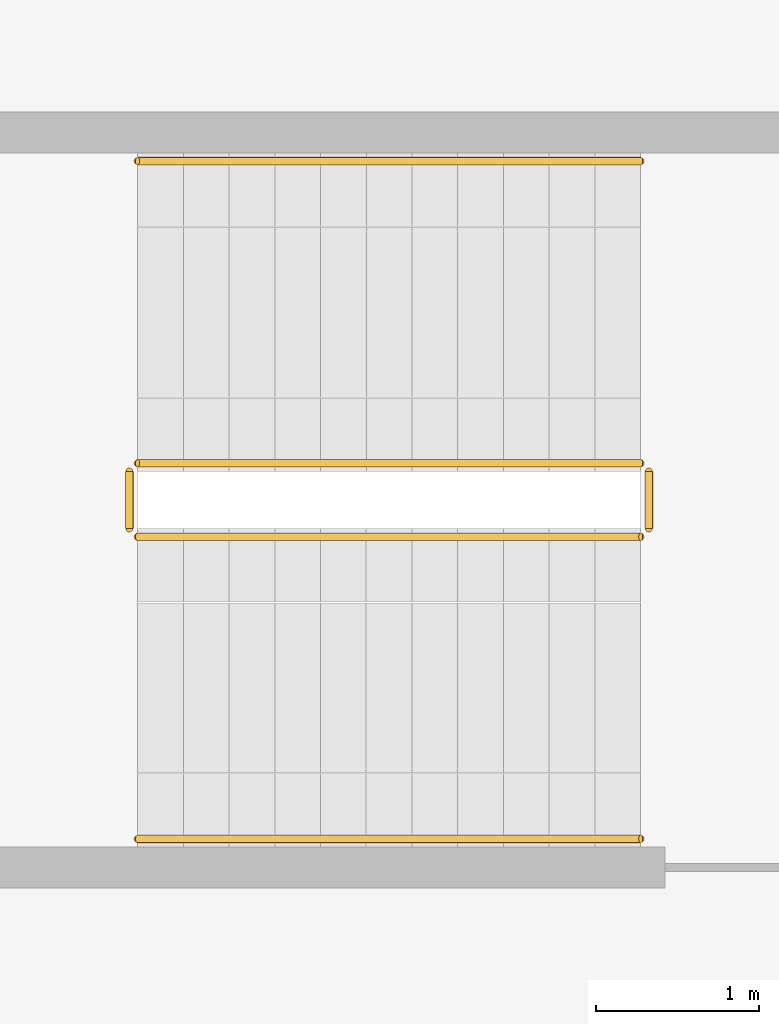
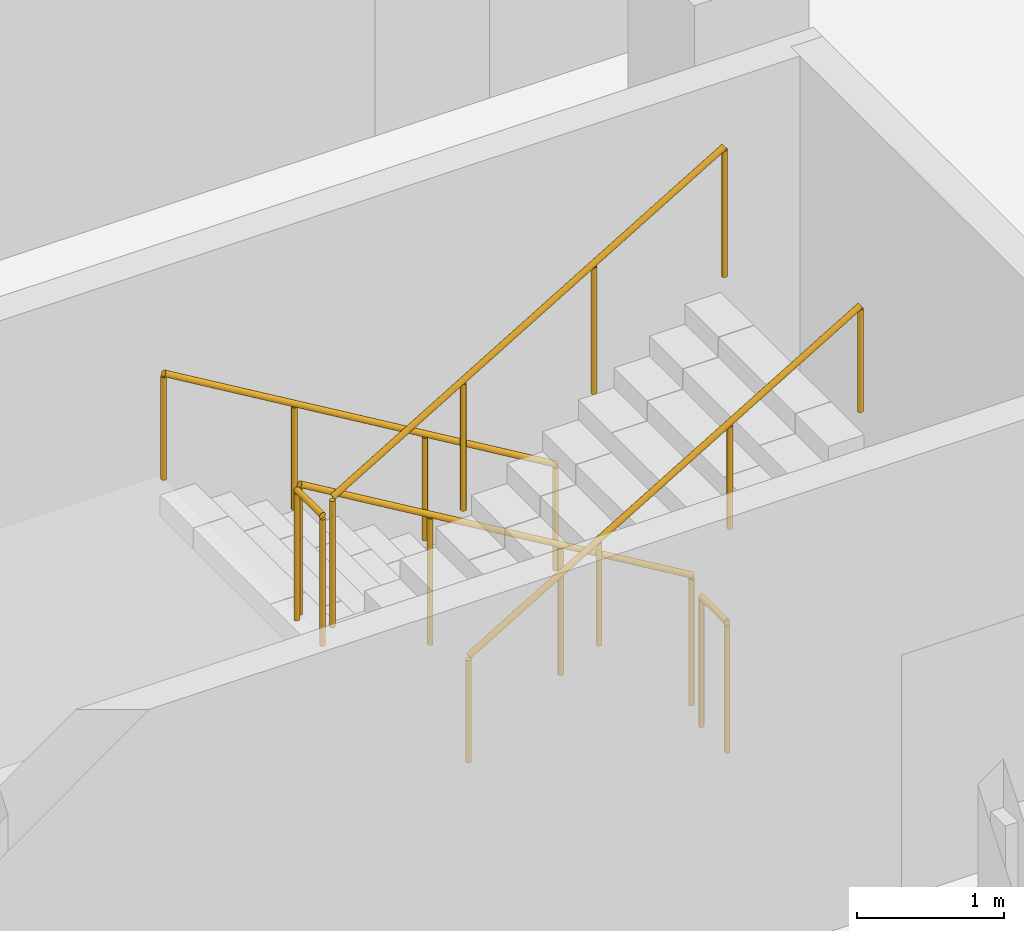
# One storey, part 10 of 10: 1 railing.
"""IFC4 building model written with IfcOpenShell, lengths in metres."""

from ifc_helpers import new_model, si_unit, direction, frame, origin, origin_2d, place, context, subcontext, project, spatial, circle, extrude, material, type_object, element, save


model = new_model("IFC4")

# Units and contexts
model_context = context("Model", 3, precision=1e-05, world=origin(), true_north=direction((0.0, 1.0)))
body_context = subcontext(model_context, "Body", "Model", "MODEL_VIEW")
ifc_project = project(units=[si_unit("LENGTHUNIT", "METRE"), si_unit("AREAUNIT", "SQUARE_METRE"), si_unit("VOLUMEUNIT", "CUBIC_METRE"), si_unit("PLANEANGLEUNIT", "RADIAN"), si_unit("MASSUNIT", "GRAM", prefix="KILO")], contexts=[model_context])

# Site, building, storey
site_placement = place(None, origin())
site = spatial("IfcSite", under=ifc_project, at=site_placement, CompositionType="ELEMENT")
building_placement = place(site_placement, origin())
building = spatial("IfcBuilding", under=site, at=building_placement, Name="Corbelhall Arena Tower", CompositionType="ELEMENT")
storey_placement = place(building_placement, frame((0.0, 0.0, 242.0)))
storey = spatial("IfcBuildingStorey", under=building, at=storey_placement, Name="L51", CompositionType="ELEMENT", Elevation=242.0)

# Railing
ifc_material = material(Name="Steel ASTM A500 Gr C", Category="steel")
railing_type = type_object("IfcRailingType", Name="IN-GD-1100", PredefinedType="GUARDRAIL", material=ifc_material)
railing_placement = place(storey_placement, frame((11.425048828125, 14.77490234375, 0.166748046875)))
element("IfcRailing", 1, at=railing_placement, inside=storey, type_object=railing_type, Name="L51 ST3 stair guards and handrails", PredefinedType="GUARDRAIL", context=body_context, shape_type="SweptSolid", body=[
    extrude(circle(Radius=0.02392578125, at=origin_2d()), frame((0.0, 0.0, 1.076171875), z_axis=(-0.859308565015, 0.0, 0.511457515432), x_axis=(0.0, -1.0, 0.0)), (0.0, 0.0, 1.0), 3.58447265625),
    extrude(circle(Radius=0.02392578125, at=origin_2d()), frame((-3.130126953125, -0.0498046875, 2.9091796875), z_axis=(0.0, -1.0, 0.0), x_axis=(1.0, 0.0, 0.0)), (0.0, 0.0, 1.0), 0.35009765625),
    extrude(circle(Radius=0.02392578125, at=origin_2d()), frame((-3.080078125, -0.449951171875, 3.076171875), z_axis=(0.859308565015, 0.0, 0.511457515432), x_axis=(0.0, 1.0, 0.0)), (0.0, 0.0, 1.0), 3.58447265625),
    extrude(circle(Radius=0.02392578125, at=origin_2d()), frame((0.050048828125, -0.0498046875, 0.9091796875), z_axis=(0.0, -1.0, 0.0), x_axis=(1.0, 0.0, 0.0)), (0.0, 0.0, 1.0), 0.35009765625),
    extrude(circle(Radius=0.02392578125, at=origin_2d()), frame((0.0, 1.85009765625, 0.8759765625), z_axis=(-0.859308565015, 0.0, 0.511457515432), x_axis=(0.0, -1.0, 0.0)), (0.0, 0.0, 1.0), 3.58447265625),
    extrude(circle(Radius=0.02392578125, at=origin_2d()), frame((-3.080078125, -2.2998046875, 2.8759765625), z_axis=(0.859308565015, 0.0, 0.511457515432), x_axis=(0.0, 1.0, 0.0)), (0.0, 0.0, 1.0), 3.58447265625),
    extrude(circle(Radius=0.02099609375, at=origin_2d()), origin(), (0.0, 0.0, 1.0), 1.052001953125),
    extrude(circle(Radius=0.02099609375, at=origin_2d()), frame((-1.026611328125, 0.0, 0.611083984375)), (0.0, 0.0, 1.0), 1.052001953125),
    extrude(circle(Radius=0.02099609375, at=origin_2d()), frame((-2.053466796875, 0.0, 1.22216796875)), (0.0, 0.0, 1.0), 1.052001953125),
    extrude(circle(Radius=0.02099609375, at=origin_2d()), frame((-3.080078125, 0.0, 1.833251953125)), (0.0, 0.0, 1.0), 1.052001953125),
    extrude(circle(Radius=0.02099609375, at=origin_2d()), frame((-3.130126953125, -0.0498046875, 1.833251953125)), (0.0, 0.0, 1.0), 1.052001953125),
    extrude(circle(Radius=0.02099609375, at=origin_2d()), frame((-3.130126953125, -0.39990234375, 1.833251953125)), (0.0, 0.0, 1.0), 1.052001953125),
    extrude(circle(Radius=0.02099609375, at=origin_2d()), frame((-3.080078125, -0.449951171875, 2.0)), (0.0, 0.0, 1.0), 1.052001953125),
    extrude(circle(Radius=0.02099609375, at=origin_2d()), frame((-2.053466796875, -0.449951171875, 2.611083984375)), (0.0, 0.0, 1.0), 1.052001953125),
    extrude(circle(Radius=0.02099609375, at=origin_2d()), frame((-1.026611328125, -0.449951171875, 3.22216796875)), (0.0, 0.0, 1.0), 1.052001953125),
    extrude(circle(Radius=0.02099609375, at=origin_2d()), frame((0.0, -0.449951171875, 3.833251953125)), (0.0, 0.0, 1.0), 1.052001953125),
    extrude(circle(Radius=0.02099609375, at=origin_2d()), frame((0.050048828125, -0.0498046875, -0.166748046875)), (0.0, 0.0, 1.0), 1.052001953125),
    extrude(circle(Radius=0.02099609375, at=origin_2d()), frame((0.050048828125, -0.39990234375, -0.166748046875)), (0.0, 0.0, 1.0), 1.052001953125),
    extrude(circle(Radius=0.02099609375, at=origin_2d()), frame((0.0, 1.85009765625, 0.0)), (0.0, 0.0, 1.0), 0.851806640625),
    extrude(circle(Radius=0.02099609375, at=origin_2d()), frame((-1.026611328125, 1.85009765625, 0.611083984375)), (0.0, 0.0, 1.0), 0.851806640625),
    extrude(circle(Radius=0.02099609375, at=origin_2d()), frame((-2.053466796875, 1.85009765625, 1.22216796875)), (0.0, 0.0, 1.0), 0.851806640625),
    extrude(circle(Radius=0.02099609375, at=origin_2d()), frame((-3.080078125, 1.85009765625, 1.833251953125)), (0.0, 0.0, 1.0), 0.851806640625),
    extrude(circle(Radius=0.02099609375, at=origin_2d()), frame((-3.080078125, -2.2998046875, 2.0)), (0.0, 0.0, 1.0), 0.851806640625),
    extrude(circle(Radius=0.02099609375, at=origin_2d()), frame((-2.053466796875, -2.2998046875, 2.611083984375)), (0.0, 0.0, 1.0), 0.851806640625),
    extrude(circle(Radius=0.02099609375, at=origin_2d()), frame((-1.026611328125, -2.2998046875, 3.22216796875)), (0.0, 0.0, 1.0), 0.851806640625),
    extrude(circle(Radius=0.02099609375, at=origin_2d()), frame((0.0, -2.2998046875, 3.833251953125)), (0.0, 0.0, 1.0), 0.851806640625),
])

save(model, "model.ifc")
